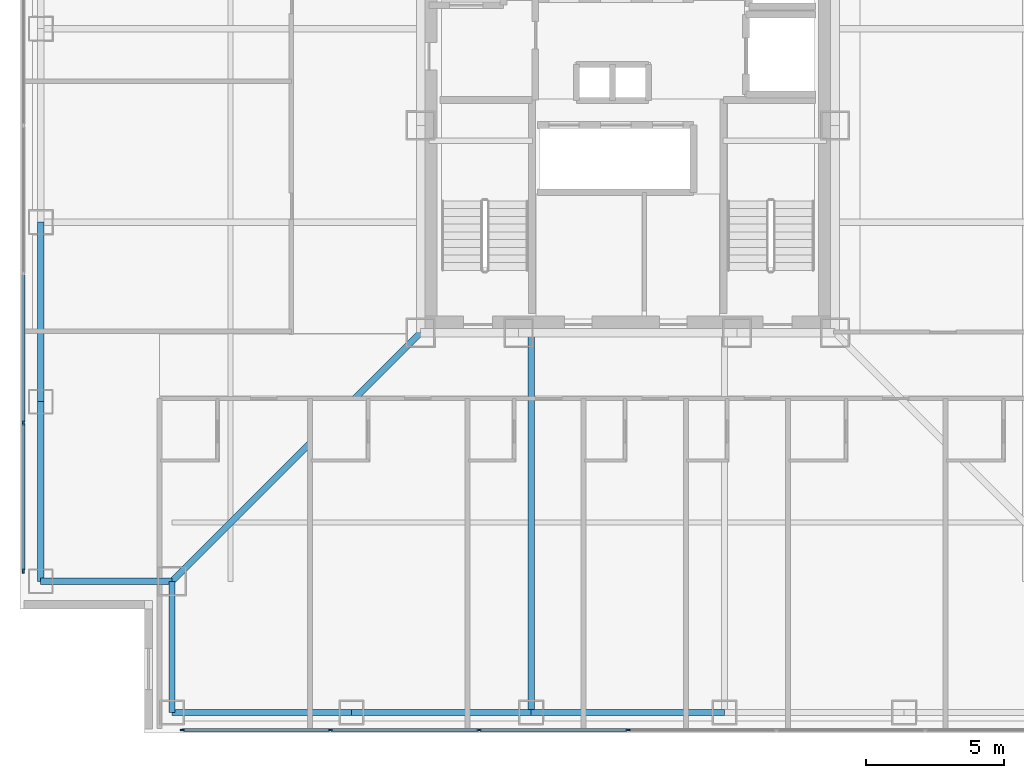
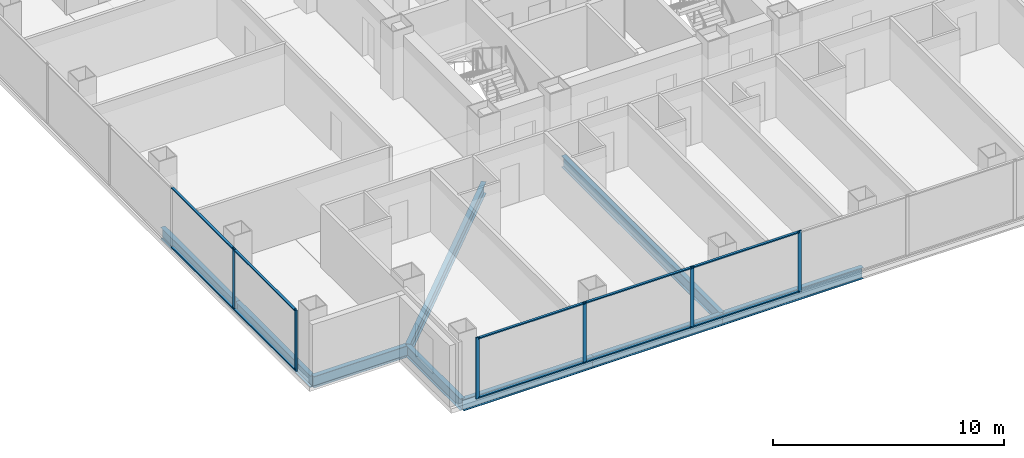
# One storey, part 2 of 18: 16 members, 9 beams, 2 elements without a shape of their own.
"""IFC4 building model written with IfcOpenShell, lengths in metres."""

from ifc_helpers import new_model, si_unit, direction, frame, origin, origin_2d, place, context, subcontext, project, spatial, rectangle, i_section, extrude, material, layer, layer_set, material_profile, profile_set, type_object, element, aggregate, save


model = new_model("IFC4")

# Units and contexts
model_context = context("Model", 3, precision=1e-05, world=origin(), true_north=direction((0.0, 1.0)))
body_context = subcontext(model_context, "Body", "Model", "MODEL_VIEW")
ifc_project = project(units=[si_unit("LENGTHUNIT", "METRE"), si_unit("AREAUNIT", "SQUARE_METRE"), si_unit("VOLUMEUNIT", "CUBIC_METRE"), si_unit("PLANEANGLEUNIT", "RADIAN"), si_unit("MASSUNIT", "GRAM", prefix="KILO")], contexts=[model_context])

# Site, building, storey
site_placement = place(None, origin())
site = spatial("IfcSite", under=ifc_project, at=site_placement, CompositionType="ELEMENT")
building_placement = place(site_placement, origin())
building = spatial("IfcBuilding", under=site, at=building_placement, Name="Trevonay Congress Spire", CompositionType="ELEMENT")
storey_placement = place(building_placement, frame((0.0, 0.0, 151.60009765625)))
storey = spatial("IfcBuildingStorey", under=building, at=storey_placement, Name="L39", CompositionType="ELEMENT", Elevation=151.60009765625)

# Beams
ifc_material_1 = material(Name="Steel ASTM A572 Grade 50", Category="steel")
ifc_material_profile_1 = material_profile(ifc_material_1, i_section(OverallWidth=0.22998046875, OverallDepth=0.616943359375, WebThickness=0.01318359375, FlangeThickness=0.022216796875, FilletRadius=0.01611328125, at=origin_2d()), Name="W610x140")
ifc_profile_set_1 = profile_set([ifc_material_profile_1], Name="Steel ASTM A572 Grade 50")
beam_type_1 = type_object("IfcBeamType", Name="BM-GIRD-W610X140", PredefinedType="BEAM", material=ifc_profile_set_1)
beam_1_placement = place(storey_placement, frame((-7.5, -7.5, -0.548583984375), z_axis=(-0.707106781187, -0.707106781187, 0.0), x_axis=(0.707106781187, -0.707106781187, 0.0)))
element("IfcBeam", 1, at=beam_1_placement, inside=storey, type_object=beam_type_1, Name="L39 structural beam BM-L39-CDSW", PredefinedType="BEAM", context=body_context, shape_type="SweptSolid", body=[
    extrude(i_section(OverallWidth=0.22998046875, OverallDepth=0.616943359375, WebThickness=0.01318359375, FlangeThickness=0.022216796875, FilletRadius=0.01611328125, at=origin_2d()), origin(), (0.0, 0.0, 1.0), 12.72802734375),
])
beam_2_placement = place(storey_placement, frame((-3.5, -7.5, -0.548583984375), z_axis=(0.0, -1.0, 0.0), x_axis=(1.0, 0.0, 0.0)))
element("IfcBeam", 2, at=beam_2_placement, inside=storey, type_object=beam_type_1, Name="L39 structural beam BM-L39-GS-M", PredefinedType="BEAM", context=body_context, shape_type="SweptSolid", body=[
    extrude(i_section(OverallWidth=0.22998046875, OverallDepth=0.616943359375, WebThickness=0.01318359375, FlangeThickness=0.022216796875, FilletRadius=0.01611328125, at=origin_2d()), origin(), (0.0, 0.0, 1.0), 13.75),
])
ifc_material_profile_2 = material_profile(ifc_material_1, i_section(OverallWidth=0.22802734375, OverallDepth=0.60791015625, WebThickness=0.01123046875, FlangeThickness=0.017333984375, FilletRadius=0.01611328125, at=origin_2d()), Name="W610x113")
ifc_profile_set_2 = profile_set([ifc_material_profile_2], Name="Steel ASTM A572 Grade 50")
beam_type_2 = type_object("IfcBeamType", Name="BM-RING-W610X113", PredefinedType="BEAM", material=ifc_profile_set_2)
for number, where, z_axis, x_axis, name in (
    (3, (-16.5, -21.25, -0.544189453125), (1.0, 0.0, 0.0), (0.0, 1.0, 0.0), "L39 structural beam BM-L39-PS1"),
    (4, (-21.25, -16.5, -0.544189453125), (0.0, 1.0, 0.0), (-1.0, 0.0, 0.0), "L39 structural beam BM-L39-PW1"),
    (5, (-10.0, -21.25, -0.544189453125), (1.0, 0.0, 0.0), (0.0, 1.0, 0.0), "L39 structural beam BM-L39-PS2"),
    (6, (-21.25, -10.0, -0.544189453125), (0.0, 1.0, 0.0), (-1.0, 0.0, 0.0), "L39 structural beam BM-L39-PW2"),
):
    element("IfcBeam", number, at=place(storey_placement, frame(where, z_axis=z_axis, x_axis=x_axis)), inside=storey, type_object=beam_type_2, Name=name, PredefinedType="BEAM", context=body_context, shape_type="SweptSolid", body=[
        extrude(i_section(OverallWidth=0.22802734375, OverallDepth=0.60791015625, WebThickness=0.01123046875, FlangeThickness=0.017333984375, FilletRadius=0.01611328125, at=origin_2d()), origin(), (0.0, 0.0, 1.0), 6.5),
    ])
beam_3_placement = place(storey_placement, frame((-3.5, -21.25, -0.544189453125), z_axis=(1.0, 0.0, 0.0), x_axis=(0.0, 1.0, 0.0)))
element("IfcBeam", 7, at=beam_3_placement, inside=storey, type_object=beam_type_2, Name="L39 structural beam BM-L39-PS3", PredefinedType="BEAM", context=body_context, shape_type="SweptSolid", body=[
    extrude(i_section(OverallWidth=0.22802734375, OverallDepth=0.60791015625, WebThickness=0.01123046875, FlangeThickness=0.017333984375, FilletRadius=0.01611328125, at=origin_2d()), origin(), (0.0, 0.0, 1.0), 7.0),
])
for number, where, z_axis, x_axis, name in (
    (8, (-16.5, -21.25, -0.544189453125), (0.0, 1.0, 0.0), (-1.0, 0.0, 0.0), "L39 structural beam BM-L39-N1SW"),
    (9, (-21.25, -16.5, -0.544189453125), (1.0, 0.0, 0.0), (0.0, 1.0, 0.0), "L39 structural beam BM-L39-N2SW"),
):
    element("IfcBeam", number, at=place(storey_placement, frame(where, z_axis=z_axis, x_axis=x_axis)), inside=storey, type_object=beam_type_2, Name=name, PredefinedType="BEAM", context=body_context, shape_type="SweptSolid", body=[
        extrude(i_section(OverallWidth=0.22802734375, OverallDepth=0.60791015625, WebThickness=0.01123046875, FlangeThickness=0.017333984375, FilletRadius=0.01611328125, at=origin_2d()), origin(), (0.0, 0.0, 1.0), 4.75),
    ])

# Curtain wall, members
ifc_material_2 = material(Name="Pale Anodised Aluminium EN AW-6063-T6", Category="aluminium")
ifc_layer = layer(ifc_material_2, 0.175048828125, Name="Pale Anodised Aluminium EN AW-6063-T6")
ifc_layer_set = layer_set([ifc_layer], Name="Pale Anodised Aluminium EN AW-6063-T6")
curtain_wall_type = type_object("IfcCurtainWallType", Name="CW-SYS03-CONGRESS-PALE-METAL", PredefinedType="NOTDEFINED", material=ifc_layer_set)
curtain_wall_1_placement = place(storey_placement, origin())
curtain_wall_1 = element("IfcCurtainWall", 10, at=curtain_wall_1_placement, inside=storey, type_object=curtain_wall_type, Name="L39 S unitised curtain wall", PredefinedType="NOTDEFINED")
ifc_material_profile_3 = material_profile(ifc_material_2, rectangle(XDim=0.06005859375, YDim=0.159912109375, at=origin_2d()), Name="CW-MULLION-160-ALUMINIUM")
ifc_profile_set_3 = profile_set([ifc_material_profile_3], Name="Pale Anodised Aluminium EN AW-6063-T6")
member_type_1 = type_object("IfcMemberType", Name="CW-MULLION-160-ALUMINIUM", PredefinedType="MULLION", material=ifc_profile_set_3)
member_1_placement = place(storey_placement, frame((-16.1201171875, -21.8798828125, 0.0), z_axis=(0.0, 0.0, 1.0), x_axis=(0.0, 1.0, 0.0)))
member_1 = element("IfcMember", 11, at=member_1_placement, type_object=member_type_1, Name="CW03 mullion 1", PredefinedType="MULLION", context=body_context, shape_type="SweptSolid", body=[
    extrude(rectangle(XDim=0.06005859375, YDim=0.159912109375, at=origin_2d()), origin(), (0.0, 0.0, 1.0), 3.25),
])
member_2_placement = place(storey_placement, frame((-10.7666015625, -21.8798828125, 0.0), z_axis=(0.0, 0.0, 1.0), x_axis=(0.0, 1.0, 0.0)))
member_2 = element("IfcMember", 12, at=member_2_placement, type_object=member_type_1, Name="CW03 mullion 2", PredefinedType="MULLION", context=body_context, shape_type="SweptSolid", body=[
    extrude(rectangle(XDim=0.06005859375, YDim=0.159912109375, at=origin_2d()), origin(), (0.0, 0.0, 1.0), 3.25),
])
member_3_placement = place(storey_placement, frame((-5.38330078125, -21.8798828125, 0.0), z_axis=(0.0, 0.0, 1.0), x_axis=(0.0, 1.0, 0.0)))
member_3 = element("IfcMember", 13, at=member_3_placement, type_object=member_type_1, Name="CW03 mullion 3", PredefinedType="MULLION", context=body_context, shape_type="SweptSolid", body=[
    extrude(rectangle(XDim=0.06005859375, YDim=0.159912109375, at=origin_2d()), origin(), (0.0, 0.0, 1.0), 3.25),
])
member_4_placement = place(storey_placement, frame((0.0, -21.8798828125, 0.0), z_axis=(0.0, 0.0, 1.0), x_axis=(0.0, 1.0, 0.0)))
member_4 = element("IfcMember", 14, at=member_4_placement, type_object=member_type_1, Name="CW03 mullion 4", PredefinedType="MULLION", context=body_context, shape_type="SweptSolid", body=[
    extrude(rectangle(XDim=0.06005859375, YDim=0.159912109375, at=origin_2d()), origin(), (0.0, 0.0, 1.0), 3.25),
])

curtain_wall_2_placement = place(storey_placement, origin())
curtain_wall_2 = element("IfcCurtainWall", 15, at=curtain_wall_2_placement, inside=storey, type_object=curtain_wall_type, Name="L39 W unitised curtain wall", PredefinedType="NOTDEFINED")
member_5_placement = place(storey_placement, frame((-21.8798828125, -16.1201171875, 0.0), z_axis=(0.0, 0.0, 1.0), x_axis=(-1.0, 0.0, 0.0)))
member_5 = element("IfcMember", 16, at=member_5_placement, type_object=member_type_1, Name="CW03 mullion 1", PredefinedType="MULLION", context=body_context, shape_type="SweptSolid", body=[
    extrude(rectangle(XDim=0.06005859375, YDim=0.159912109375, at=origin_2d()), origin(), (0.0, 0.0, 1.0), 3.25),
])
member_6_placement = place(storey_placement, frame((-21.8798828125, -10.7666015625, 0.0), z_axis=(0.0, 0.0, 1.0), x_axis=(-1.0, 0.0, 0.0)))
member_6 = element("IfcMember", 17, at=member_6_placement, type_object=member_type_1, Name="CW03 mullion 2", PredefinedType="MULLION", context=body_context, shape_type="SweptSolid", body=[
    extrude(rectangle(XDim=0.06005859375, YDim=0.159912109375, at=origin_2d()), origin(), (0.0, 0.0, 1.0), 3.25),
])

# Member
ifc_material_profile_4 = material_profile(ifc_material_2, rectangle(XDim=0.1201171875, YDim=0.06005859375, at=origin_2d()), Name="CW-TRANSOM-120-ALUMINIUM")
ifc_profile_set_4 = profile_set([ifc_material_profile_4], Name="Pale Anodised Aluminium EN AW-6063-T6")
member_type_2 = type_object("IfcMemberType", Name="CW-TRANSOM-120-ALUMINIUM", PredefinedType="USERDEFINED", material=ifc_profile_set_4)
member_7_placement = place(storey_placement, frame((-16.090087890625, -21.8798828125, 0.059814453125), z_axis=(1.0, 0.0, 0.0), x_axis=(0.0, 1.0, 0.0)))
member_7 = element("IfcMember", 18, at=member_7_placement, type_object=member_type_2, Name="CW03 transom 1.1", ObjectType="TRANSOM", PredefinedType="USERDEFINED", context=body_context, shape_type="SweptSolid", body=[
    extrude(rectangle(XDim=0.1201171875, YDim=0.06005859375, at=origin_2d()), origin(), (0.0, 0.0, 1.0), 5.29345703125),
])

member_8_placement = place(storey_placement, frame((-16.090087890625, -21.8798828125, 3.18994140625), z_axis=(1.0, 0.0, 0.0), x_axis=(0.0, 1.0, 0.0)))
member_8 = element("IfcMember", 19, at=member_8_placement, type_object=member_type_2, Name="CW03 transom 1.2", ObjectType="TRANSOM", PredefinedType="USERDEFINED", context=body_context, shape_type="SweptSolid", body=[
    extrude(rectangle(XDim=0.1201171875, YDim=0.06005859375, at=origin_2d()), origin(), (0.0, 0.0, 1.0), 5.29345703125),
])

member_9_placement = place(storey_placement, frame((-10.736572265625, -21.8798828125, 0.059814453125), z_axis=(1.0, 0.0, 0.0), x_axis=(0.0, 1.0, 0.0)))
member_9 = element("IfcMember", 20, at=member_9_placement, type_object=member_type_2, Name="CW03 transom 2.1", ObjectType="TRANSOM", PredefinedType="USERDEFINED", context=body_context, shape_type="SweptSolid", body=[
    extrude(rectangle(XDim=0.1201171875, YDim=0.06005859375, at=origin_2d()), origin(), (0.0, 0.0, 1.0), 5.3232421875),
])

member_10_placement = place(storey_placement, frame((-10.736572265625, -21.8798828125, 3.18994140625), z_axis=(1.0, 0.0, 0.0), x_axis=(0.0, 1.0, 0.0)))
member_10 = element("IfcMember", 21, at=member_10_placement, type_object=member_type_2, Name="CW03 transom 2.2", ObjectType="TRANSOM", PredefinedType="USERDEFINED", context=body_context, shape_type="SweptSolid", body=[
    extrude(rectangle(XDim=0.1201171875, YDim=0.06005859375, at=origin_2d()), origin(), (0.0, 0.0, 1.0), 5.3232421875),
])

member_11_placement = place(storey_placement, frame((-5.353271484375, -21.8798828125, 0.059814453125), z_axis=(1.0, 0.0, 0.0), x_axis=(0.0, 1.0, 0.0)))
member_11 = element("IfcMember", 22, at=member_11_placement, type_object=member_type_2, Name="CW03 transom 3.1", ObjectType="TRANSOM", PredefinedType="USERDEFINED", context=body_context, shape_type="SweptSolid", body=[
    extrude(rectangle(XDim=0.1201171875, YDim=0.06005859375, at=origin_2d()), origin(), (0.0, 0.0, 1.0), 5.3232421875),
])

member_12_placement = place(storey_placement, frame((-5.353271484375, -21.8798828125, 3.18994140625), z_axis=(1.0, 0.0, 0.0), x_axis=(0.0, 1.0, 0.0)))
member_12 = element("IfcMember", 23, at=member_12_placement, type_object=member_type_2, Name="CW03 transom 3.2", ObjectType="TRANSOM", PredefinedType="USERDEFINED", context=body_context, shape_type="SweptSolid", body=[
    extrude(rectangle(XDim=0.1201171875, YDim=0.06005859375, at=origin_2d()), origin(), (0.0, 0.0, 1.0), 5.3232421875),
])

aggregate(curtain_wall_1, [member_1, member_2, member_3, member_4, member_7, member_8, member_9, member_10, member_11, member_12])

member_13_placement = place(storey_placement, frame((-21.8798828125, -16.090087890625, 0.059814453125), z_axis=(0.0, 1.0, 0.0), x_axis=(-1.0, 0.0, 0.0)))
member_13 = element("IfcMember", 24, at=member_13_placement, type_object=member_type_2, Name="CW03 transom 1.1", ObjectType="TRANSOM", PredefinedType="USERDEFINED", context=body_context, shape_type="SweptSolid", body=[
    extrude(rectangle(XDim=0.1201171875, YDim=0.06005859375, at=origin_2d()), origin(), (0.0, 0.0, 1.0), 5.29345703125),
])

member_14_placement = place(storey_placement, frame((-21.8798828125, -16.090087890625, 3.18994140625), z_axis=(0.0, 1.0, 0.0), x_axis=(-1.0, 0.0, 0.0)))
member_14 = element("IfcMember", 25, at=member_14_placement, type_object=member_type_2, Name="CW03 transom 1.2", ObjectType="TRANSOM", PredefinedType="USERDEFINED", context=body_context, shape_type="SweptSolid", body=[
    extrude(rectangle(XDim=0.1201171875, YDim=0.06005859375, at=origin_2d()), origin(), (0.0, 0.0, 1.0), 5.29345703125),
])

member_15_placement = place(storey_placement, frame((-21.8798828125, -10.736572265625, 0.059814453125), z_axis=(0.0, 1.0, 0.0), x_axis=(-1.0, 0.0, 0.0)))
member_15 = element("IfcMember", 26, at=member_15_placement, type_object=member_type_2, Name="CW03 transom 2.1", ObjectType="TRANSOM", PredefinedType="USERDEFINED", context=body_context, shape_type="SweptSolid", body=[
    extrude(rectangle(XDim=0.1201171875, YDim=0.06005859375, at=origin_2d()), origin(), (0.0, 0.0, 1.0), 5.3232421875),
])

member_16_placement = place(storey_placement, frame((-21.8798828125, -10.736572265625, 3.18994140625), z_axis=(0.0, 1.0, 0.0), x_axis=(-1.0, 0.0, 0.0)))
member_16 = element("IfcMember", 27, at=member_16_placement, type_object=member_type_2, Name="CW03 transom 2.2", ObjectType="TRANSOM", PredefinedType="USERDEFINED", context=body_context, shape_type="SweptSolid", body=[
    extrude(rectangle(XDim=0.1201171875, YDim=0.06005859375, at=origin_2d()), origin(), (0.0, 0.0, 1.0), 5.3232421875),
])

aggregate(curtain_wall_2, [member_5, member_6, member_13, member_14, member_15, member_16])

save(model, "model.ifc")
